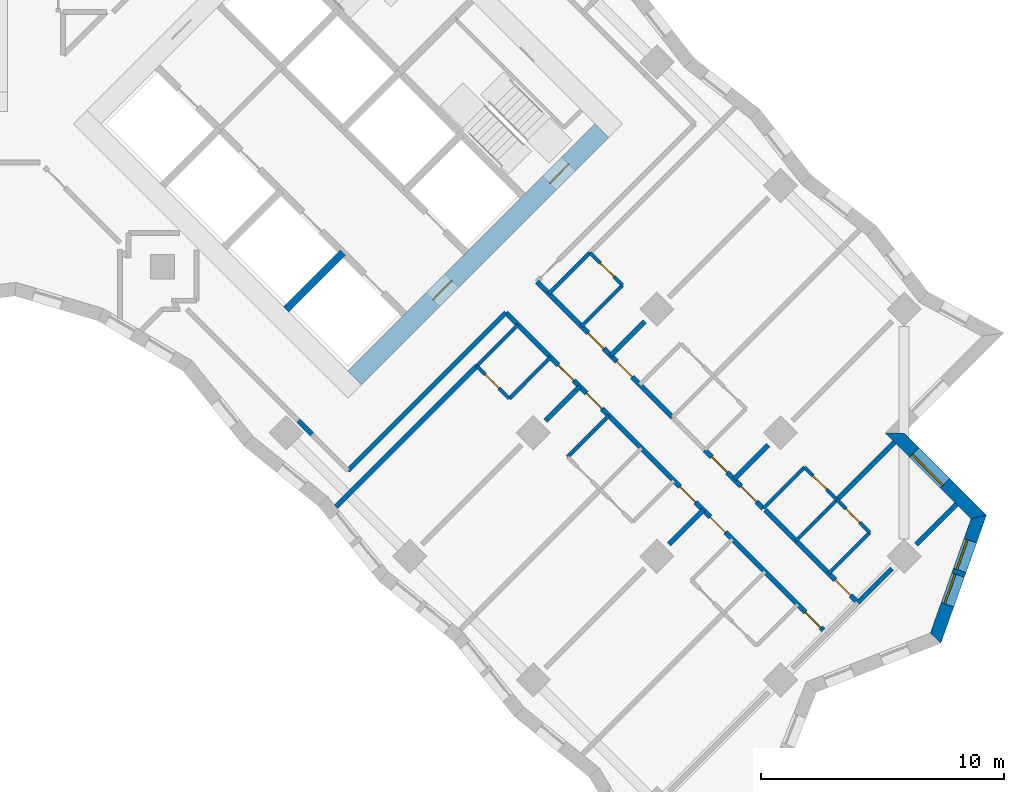
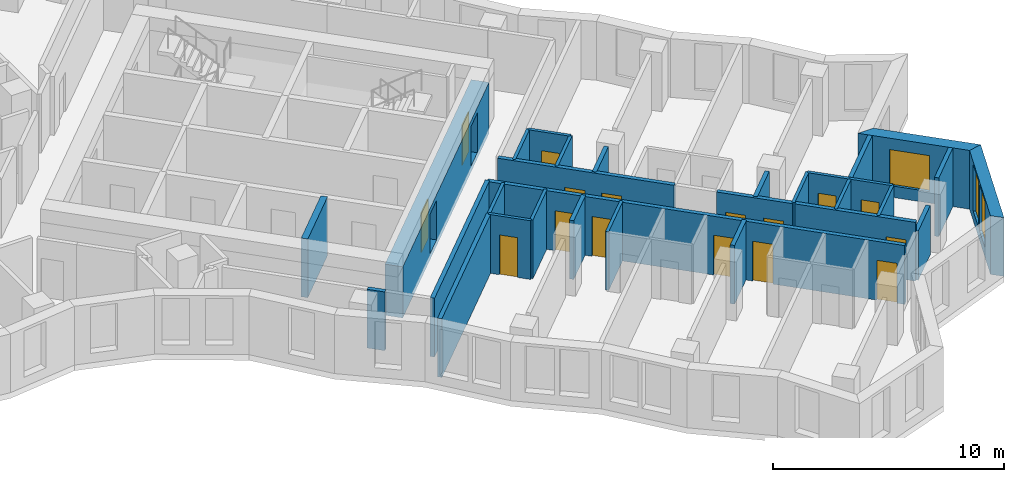
# One storey, part 9 of 13: 30 walls, 16 doors, 3 windows, 19 openings.
"""IFC4 building model written with IfcOpenShell, lengths in metres."""

from ifc_helpers import new_model, si_unit, direction, frame, frame_2d, origin, place, context, subcontext, project, spatial, polyline, rectangle, outline, extrude, material, layer, layer_set, type_object, element, fill, save


model = new_model("IFC4")

# Units and contexts
model_context = context("Model", 3, precision=1e-05, world=origin(), true_north=direction((0.0, 1.0)))
body_context = subcontext(model_context, "Body", "Model", "MODEL_VIEW")
ifc_project = project(units=[si_unit("LENGTHUNIT", "METRE"), si_unit("AREAUNIT", "SQUARE_METRE"), si_unit("VOLUMEUNIT", "CUBIC_METRE"), si_unit("PLANEANGLEUNIT", "RADIAN"), si_unit("MASSUNIT", "GRAM", prefix="KILO")], contexts=[model_context])

# Site, building, storey
site_placement = place(None, origin())
site = spatial("IfcSite", under=ifc_project, at=site_placement, CompositionType="ELEMENT")
building_placement = place(site_placement, origin())
building = spatial("IfcBuilding", under=site, at=building_placement, Name="Windrow Commons", CompositionType="ELEMENT")
storey_placement = place(building_placement, frame((0.0, 0.0, 94.8)))
storey = spatial("IfcBuildingStorey", under=building, at=storey_placement, Name="L25", CompositionType="ELEMENT", Elevation=94.8)

# Wall, openings, windows
ifc_material_1 = material(Name="Brick masonry, red clay brick", Category="masonry")
ifc_layer_1 = layer(ifc_material_1, 0.55)
ifc_layer_set_1 = layer_set([ifc_layer_1], Name="Brick facade wall 550")
wall_type_1 = type_object("IfcWallType", Name="Brick facade wall 550", PredefinedType="SOLIDWALL", material=ifc_layer_set_1)
wall_1_placement = place(storey_placement, frame((111.0465, 27.9061, 0.0), z_axis=(0.0, 0.0, 1.0), x_axis=(0.3355027217, 0.9420392368, 0.0)))
wall_1 = element("IfcWall", 1, at=wall_1_placement, inside=storey, type_object=wall_type_1, Name="Brick facade wall L25 4", PredefinedType="SOLIDWALL", context=body_context, shape_type="SweptSolid", body=[
    extrude(outline(polyline([(-0.1251, -0.275), (5.4709, -0.275), (5.1232, 0.275), (0.1251, 0.275), (-0.1251, -0.275)])), origin(), (0.0, 0.0, 1.0), 3.1),
])
opening_1_placement = place(wall_1_placement, frame((1.4596, 0.0, 0.5)))
opening_1 = element("IfcOpeningElement", 2, at=opening_1_placement, cuts=wall_1, Name="Opening W1P", PredefinedType="OPENING", context=body_context, shape_type="SweptSolid", body=[
    extrude(rectangle(XDim=1.3, YDim=2.45, at=frame_2d((0.65, 1.225))), frame((0.0, 0.285, 0.0), z_axis=(0.0, -1.0, 0.0), x_axis=(1.0, 0.0, 0.0)), (0.0, 0.0, 1.0), 0.57),
])
opening_2_placement = place(wall_1_placement, frame((2.9596, 0.0, 0.5)))
opening_2 = element("IfcOpeningElement", 3, at=opening_2_placement, cuts=wall_1, Name="Opening W1P", PredefinedType="OPENING", context=body_context, shape_type="SweptSolid", body=[
    extrude(rectangle(XDim=1.3, YDim=2.45, at=frame_2d((0.65, 1.225))), frame((0.0, 0.285, 0.0), z_axis=(0.0, -1.0, 0.0), x_axis=(1.0, 0.0, 0.0)), (0.0, 0.0, 1.0), 0.57),
])
ifc_material_2 = material(Name="Clear float glass in anodised aluminium frame", Category="aluminium")
window_type_1 = type_object("IfcWindowType", Name="Window W1P pair 1300x2450", PartitioningType="SINGLE_PANEL", PredefinedType="WINDOW", material=ifc_material_2)
window_1_placement = place(opening_1_placement, origin())
window_1 = element("IfcWindow", 4, at=window_1_placement, inside=storey, type_object=window_type_1, Name="Window L25 4.1A", OverallHeight=2.45, OverallWidth=1.3, PartitioningType="SINGLE_PANEL", PredefinedType="WINDOW", context=body_context, shape_type="SweptSolid", body=[
    extrude(rectangle(XDim=1.3, YDim=2.45, at=frame_2d((0.65, 1.225))), frame((0.0, 0.155, 0.0), z_axis=(0.0, -1.0, 0.0), x_axis=(1.0, 0.0, 0.0)), (0.0, 0.0, 1.0), 0.06),
])
fill(opening_1, window_1)
window_2_placement = place(opening_2_placement, origin())
window_2 = element("IfcWindow", 5, at=window_2_placement, inside=storey, type_object=window_type_1, Name="Window L25 4.1B", OverallHeight=2.45, OverallWidth=1.3, PartitioningType="SINGLE_PANEL", PredefinedType="WINDOW", context=body_context, shape_type="SweptSolid", body=[
    extrude(rectangle(XDim=1.3, YDim=2.45, at=frame_2d((0.65, 1.225))), frame((0.0, 0.155, 0.0), z_axis=(0.0, -1.0, 0.0), x_axis=(1.0, 0.0, 0.0)), (0.0, 0.0, 1.0), 0.06),
])
fill(opening_2, window_2)

# Wall, opening, window
wall_2_placement = place(storey_placement, frame((112.8237, 32.8962, 0.0), z_axis=(0.0, 0.0, 1.0), x_axis=(-0.7071067812, 0.7071067812, 0.0)))
wall_2 = element("IfcWall", 6, at=wall_2_placement, inside=storey, type_object=wall_type_1, Name="Brick facade wall L25 5", PredefinedType="SOLIDWALL", context=body_context, shape_type="SweptSolid", body=[
    extrude(outline(polyline([(-0.1739, -0.275), (4.6261, -0.275), (5.1761, 0.275), (0.1739, 0.275), (-0.1739, -0.275)])), origin(), (0.0, 0.0, 1.0), 3.1),
])
opening_3_placement = place(wall_2_placement, frame((1.9636, 0.0, 0.6)))
opening_3 = element("IfcOpeningElement", 7, at=opening_3_placement, cuts=wall_2, Name="Opening W1L", PredefinedType="OPENING", context=body_context, shape_type="SweptSolid", body=[
    extrude(rectangle(XDim=1.8, YDim=1.9, at=frame_2d((0.9, 0.95))), frame((0.0, 0.285, 0.0), z_axis=(0.0, -1.0, 0.0), x_axis=(1.0, 0.0, 0.0)), (0.0, 0.0, 1.0), 0.57),
])
ifc_material_3 = material(Name="Clear float glass in anodised aluminium frame", Category="aluminium")
window_type_2 = type_object("IfcWindowType", Name="Window W1L bedroom 1800x1900", PartitioningType="SINGLE_PANEL", PredefinedType="WINDOW", material=ifc_material_3)
window_3_placement = place(opening_3_placement, origin())
window_3 = element("IfcWindow", 8, at=window_3_placement, inside=storey, type_object=window_type_2, Name="Window L25 5.1", OverallHeight=1.9, OverallWidth=1.8, PartitioningType="SINGLE_PANEL", PredefinedType="WINDOW", context=body_context, shape_type="SweptSolid", body=[
    extrude(rectangle(XDim=1.8, YDim=1.9, at=frame_2d((0.9, 0.95))), frame((0.0, 0.155, 0.0), z_axis=(0.0, -1.0, 0.0), x_axis=(1.0, 0.0, 0.0)), (0.0, 0.0, 1.0), 0.06),
])
fill(opening_3, window_3)

# Wall, openings, doors
ifc_material_4 = material(Name="Blockwork partition", Category="masonry")
ifc_layer_2 = layer(ifc_material_4, 0.2)
ifc_layer_set_2 = layer_set([ifc_layer_2], Name="IW-CORRIDOR-200")
wall_type_2 = type_object("IfcWallType", Name="IW-CORRIDOR-200", PredefinedType="PARTITIONING", material=ifc_layer_set_2)
wall_3_placement = place(storey_placement, frame((93.3386, 41.3086, 0.0), z_axis=(0.0, 0.0, 1.0), x_axis=(0.7071067812, -0.7071067812, 0.0)))
wall_3 = element("IfcWall", 9, at=wall_3_placement, inside=storey, type_object=wall_type_2, Name="W-L25-W003", PredefinedType="PARTITIONING", context=body_context, shape_type="SweptSolid", body=[
    extrude(rectangle(XDim=18.7016, YDim=0.2, at=frame_2d((9.3508, 0.0))), origin(), (0.0, 0.0, 1.0), 3.1),
])
opening_4_placement = place(wall_3_placement, frame((3.0504, 0.0, 0.0)))
opening_4 = element("IfcOpeningElement", 10, at=opening_4_placement, cuts=wall_3, Name="Opening D109S", PredefinedType="OPENING", context=body_context, shape_type="SweptSolid", body=[
    extrude(rectangle(XDim=0.9, YDim=2.1, at=frame_2d((0.45, 1.05))), frame((0.0, 0.11, 0.0), z_axis=(0.0, -1.0, 0.0), x_axis=(1.0, 0.0, 0.0)), (0.0, 0.0, 1.0), 0.22),
])
opening_5_placement = place(wall_3_placement, frame((4.7004, 0.0, 0.0)))
opening_5 = element("IfcOpeningElement", 11, at=opening_5_placement, cuts=wall_3, Name="Opening D109S", PredefinedType="OPENING", context=body_context, shape_type="SweptSolid", body=[
    extrude(rectangle(XDim=0.9, YDim=2.1, at=frame_2d((0.45, 1.05))), frame((0.0, 0.11, 0.0), z_axis=(0.0, -1.0, 0.0), x_axis=(1.0, 0.0, 0.0)), (0.0, 0.0, 1.0), 0.22),
])
opening_6_placement = place(wall_3_placement, frame((10.1488, 0.0, 0.0)))
opening_6 = element("IfcOpeningElement", 12, at=opening_6_placement, cuts=wall_3, Name="Opening D109S", PredefinedType="OPENING", context=body_context, shape_type="SweptSolid", body=[
    extrude(rectangle(XDim=0.9, YDim=2.1, at=frame_2d((0.45, 1.05))), frame((0.0, 0.11, 0.0), z_axis=(0.0, -1.0, 0.0), x_axis=(1.0, 0.0, 0.0)), (0.0, 0.0, 1.0), 0.22),
])
opening_7_placement = place(wall_3_placement, frame((11.9004, 0.0, 0.0)))
opening_7 = element("IfcOpeningElement", 13, at=opening_7_placement, cuts=wall_3, Name="Opening D109S", PredefinedType="OPENING", context=body_context, shape_type="SweptSolid", body=[
    extrude(rectangle(XDim=0.9, YDim=2.1, at=frame_2d((0.45, 1.05))), frame((0.0, 0.11, 0.0), z_axis=(0.0, -1.0, 0.0), x_axis=(1.0, 0.0, 0.0)), (0.0, 0.0, 1.0), 0.22),
])
opening_8_placement = place(wall_3_placement, frame((17.4504, 0.0, 0.0)))
opening_8 = element("IfcOpeningElement", 14, at=opening_8_placement, cuts=wall_3, Name="Opening D109S", PredefinedType="OPENING", context=body_context, shape_type="SweptSolid", body=[
    extrude(rectangle(XDim=0.9, YDim=2.1, at=frame_2d((0.45, 1.05))), frame((0.0, 0.11, 0.0), z_axis=(0.0, -1.0, 0.0), x_axis=(1.0, 0.0, 0.0)), (0.0, 0.0, 1.0), 0.22),
])
ifc_material_5 = material(Name="Timber door leaf", Category="wood")
door_type_1 = type_object("IfcDoorType", Name="DT-BEDROOM-900", OperationType="SINGLE_SWING_LEFT", PredefinedType="DOOR", material=ifc_material_5)
door_1_placement = place(opening_4_placement, origin())
door_1 = element("IfcDoor", 15, at=door_1_placement, inside=storey, type_object=door_type_1, Name="D-L25-D057", OperationType="SINGLE_SWING_LEFT", OverallHeight=2.1, OverallWidth=0.9, PredefinedType="DOOR", context=body_context, shape_type="SweptSolid", body=[
    extrude(rectangle(XDim=0.9, YDim=2.1, at=frame_2d((0.45, 1.05))), frame((0.0, 0.025, 0.0), z_axis=(0.0, -1.0, 0.0), x_axis=(1.0, 0.0, 0.0)), (0.0, 0.0, 1.0), 0.05),
])
fill(opening_4, door_1)
door_2_placement = place(opening_5_placement, origin())
door_2 = element("IfcDoor", 16, at=door_2_placement, inside=storey, type_object=door_type_1, Name="D-L25-D059", OperationType="SINGLE_SWING_RIGHT", OverallHeight=2.1, OverallWidth=0.9, PredefinedType="DOOR", context=body_context, shape_type="SweptSolid", body=[
    extrude(rectangle(XDim=0.9, YDim=2.1, at=frame_2d((0.45, 1.05))), frame((0.0, 0.025, 0.0), z_axis=(0.0, -1.0, 0.0), x_axis=(1.0, 0.0, 0.0)), (0.0, 0.0, 1.0), 0.05),
])
fill(opening_5, door_2)
door_3_placement = place(opening_6_placement, origin())
door_3 = element("IfcDoor", 17, at=door_3_placement, inside=storey, type_object=door_type_1, Name="D-L25-D061", OperationType="SINGLE_SWING_LEFT", OverallHeight=2.1, OverallWidth=0.9, PredefinedType="DOOR", context=body_context, shape_type="SweptSolid", body=[
    extrude(rectangle(XDim=0.9, YDim=2.1, at=frame_2d((0.45, 1.05))), frame((0.0, 0.025, 0.0), z_axis=(0.0, -1.0, 0.0), x_axis=(1.0, 0.0, 0.0)), (0.0, 0.0, 1.0), 0.05),
])
fill(opening_6, door_3)
door_4_placement = place(opening_7_placement, origin())
door_4 = element("IfcDoor", 18, at=door_4_placement, inside=storey, type_object=door_type_1, Name="D-L25-D063", OperationType="SINGLE_SWING_RIGHT", OverallHeight=2.1, OverallWidth=0.9, PredefinedType="DOOR", context=body_context, shape_type="SweptSolid", body=[
    extrude(rectangle(XDim=0.9, YDim=2.1, at=frame_2d((0.45, 1.05))), frame((0.0, 0.025, 0.0), z_axis=(0.0, -1.0, 0.0), x_axis=(1.0, 0.0, 0.0)), (0.0, 0.0, 1.0), 0.05),
])
fill(opening_7, door_4)
door_5_placement = place(opening_8_placement, origin())
door_5 = element("IfcDoor", 19, at=door_5_placement, inside=storey, type_object=door_type_1, Name="D-L25-D065", OperationType="SINGLE_SWING_LEFT", OverallHeight=2.1, OverallWidth=0.9, PredefinedType="DOOR", context=body_context, shape_type="SweptSolid", body=[
    extrude(rectangle(XDim=0.9, YDim=2.1, at=frame_2d((0.45, 1.05))), frame((0.0, 0.025, 0.0), z_axis=(0.0, -1.0, 0.0), x_axis=(1.0, 0.0, 0.0)), (0.0, 0.0, 1.0), 0.05),
])
fill(opening_8, door_5)

# Wall
wall_4_placement = place(storey_placement, frame((86.8355, 34.8065, 0.0), z_axis=(0.0, 0.0, 1.0), x_axis=(0.7071067812, 0.7071067812, 0.0)))
element("IfcWall", 20, at=wall_4_placement, inside=storey, type_object=wall_type_2, Name="W-L25-W007", PredefinedType="PARTITIONING", context=body_context, shape_type="SweptSolid", body=[
    extrude(rectangle(XDim=9.2009, YDim=0.2, at=frame_2d((4.6005, 0.0))), origin(), (0.0, 0.0, 1.0), 3.1),
])

# Wall, openings, doors
wall_5_placement = place(storey_placement, frame((94.6195, 42.5875, 0.0), z_axis=(0.0, 0.0, 1.0), x_axis=(0.7071067812, -0.7071067812, 0.0)))
wall_5 = element("IfcWall", 21, at=wall_5_placement, inside=storey, type_object=wall_type_2, Name="W-L25-W018", PredefinedType="PARTITIONING", context=body_context, shape_type="SweptSolid", body=[
    extrude(rectangle(XDim=7.8998, YDim=0.2, at=frame_2d((3.9499, 0.0))), origin(), (0.0, 0.0, 1.0), 3.1),
])
opening_9_placement = place(wall_5_placement, frame((2.9976, 0.0, 0.0)))
opening_9 = element("IfcOpeningElement", 22, at=opening_9_placement, cuts=wall_5, Name="Opening D109S", PredefinedType="OPENING", context=body_context, shape_type="SweptSolid", body=[
    extrude(rectangle(XDim=0.9, YDim=2.1, at=frame_2d((0.45, 1.05))), frame((0.0, 0.11, 0.0), z_axis=(0.0, -1.0, 0.0), x_axis=(1.0, 0.0, 0.0)), (0.0, 0.0, 1.0), 0.22),
])
opening_10_placement = place(wall_5_placement, frame((4.649, 0.0, 0.0)))
opening_10 = element("IfcOpeningElement", 23, at=opening_10_placement, cuts=wall_5, Name="Opening D109S", PredefinedType="OPENING", context=body_context, shape_type="SweptSolid", body=[
    extrude(rectangle(XDim=0.9, YDim=2.1, at=frame_2d((0.45, 1.05))), frame((0.0, 0.11, 0.0), z_axis=(0.0, -1.0, 0.0), x_axis=(1.0, 0.0, 0.0)), (0.0, 0.0, 1.0), 0.22),
])
door_6_placement = place(opening_9_placement, origin())
door_6 = element("IfcDoor", 24, at=door_6_placement, inside=storey, type_object=door_type_1, Name="D-L25-D048", OperationType="SINGLE_SWING_RIGHT", OverallHeight=2.1, OverallWidth=0.9, PredefinedType="DOOR", context=body_context, shape_type="SweptSolid", body=[
    extrude(rectangle(XDim=0.9, YDim=2.1, at=frame_2d((0.45, 1.05))), frame((0.0, 0.025, 0.0), z_axis=(0.0, -1.0, 0.0), x_axis=(1.0, 0.0, 0.0)), (0.0, 0.0, 1.0), 0.05),
])
fill(opening_9, door_6)
door_7_placement = place(opening_10_placement, origin())
door_7 = element("IfcDoor", 25, at=door_7_placement, inside=storey, type_object=door_type_1, Name="D-L25-D050", OperationType="SINGLE_SWING_LEFT", OverallHeight=2.1, OverallWidth=0.9, PredefinedType="DOOR", context=body_context, shape_type="SweptSolid", body=[
    extrude(rectangle(XDim=0.9, YDim=2.1, at=frame_2d((0.45, 1.05))), frame((0.0, 0.025, 0.0), z_axis=(0.0, -1.0, 0.0), x_axis=(1.0, 0.0, 0.0)), (0.0, 0.0, 1.0), 0.05),
])
fill(opening_10, door_7)

# Wall, opening, door
wall_6_placement = place(storey_placement, frame((104.0235, 33.1835, 0.0), z_axis=(0.0, 0.0, 1.0), x_axis=(0.7071067812, -0.7071067812, 0.0)))
wall_6 = element("IfcWall", 26, at=wall_6_placement, inside=storey, type_object=wall_type_2, Name="W-L25-W041", PredefinedType="PARTITIONING", context=body_context, shape_type="SweptSolid", body=[
    extrude(rectangle(XDim=5.3995, YDim=0.2, at=frame_2d((2.6997, 0.0))), origin(), (0.0, 0.0, 1.0), 3.1),
])
opening_11_placement = place(wall_6_placement, frame((4.0797, 0.0, 0.0)))
opening_11 = element("IfcOpeningElement", 27, at=opening_11_placement, cuts=wall_6, Name="Opening D109S", PredefinedType="OPENING", context=body_context, shape_type="SweptSolid", body=[
    extrude(rectangle(XDim=0.9, YDim=2.1, at=frame_2d((0.45, 1.05))), frame((0.0, 0.11, 0.0), z_axis=(0.0, -1.0, 0.0), x_axis=(1.0, 0.0, 0.0)), (0.0, 0.0, 1.0), 0.22),
])
door_8_placement = place(opening_11_placement, origin())
door_8 = element("IfcDoor", 28, at=door_8_placement, inside=storey, type_object=door_type_1, Name="D-L25-D067", OperationType="SINGLE_SWING_RIGHT", OverallHeight=2.1, OverallWidth=0.9, PredefinedType="DOOR", context=body_context, shape_type="SweptSolid", body=[
    extrude(rectangle(XDim=0.9, YDim=2.1, at=frame_2d((0.45, 1.05))), frame((0.0, 0.025, 0.0), z_axis=(0.0, -1.0, 0.0), x_axis=(1.0, 0.0, 0.0)), (0.0, 0.0, 1.0), 0.05),
])
fill(opening_11, door_8)

# Wall, openings, doors
wall_7_placement = place(storey_placement, frame((101.5414, 35.6514, 0.0), z_axis=(0.0, 0.0, 1.0), x_axis=(0.7071067812, -0.7071067812, 0.0)))
wall_7 = element("IfcWall", 29, at=wall_7_placement, inside=storey, type_object=wall_type_2, Name="W-L25-W059", PredefinedType="PARTITIONING", context=body_context, shape_type="SweptSolid", body=[
    extrude(rectangle(XDim=3.3998, YDim=0.2, at=frame_2d((1.6999, 0.0))), origin(), (0.0, 0.0, 1.0), 3.1),
])
opening_12_placement = place(wall_7_placement, frame((0.3999, 0.0, 0.0)))
opening_12 = element("IfcOpeningElement", 30, at=opening_12_placement, cuts=wall_7, Name="Opening D109S", PredefinedType="OPENING", context=body_context, shape_type="SweptSolid", body=[
    extrude(rectangle(XDim=0.9, YDim=2.1, at=frame_2d((0.45, 1.05))), frame((0.0, 0.11, 0.0), z_axis=(0.0, -1.0, 0.0), x_axis=(1.0, 0.0, 0.0)), (0.0, 0.0, 1.0), 0.22),
])
opening_13_placement = place(wall_7_placement, frame((2.1049, 0.0, 0.0)))
opening_13 = element("IfcOpeningElement", 31, at=opening_13_placement, cuts=wall_7, Name="Opening D109S", PredefinedType="OPENING", context=body_context, shape_type="SweptSolid", body=[
    extrude(rectangle(XDim=0.9, YDim=2.1, at=frame_2d((0.45, 1.05))), frame((0.0, 0.11, 0.0), z_axis=(0.0, -1.0, 0.0), x_axis=(1.0, 0.0, 0.0)), (0.0, 0.0, 1.0), 0.22),
])
door_9_placement = place(opening_12_placement, origin())
door_9 = element("IfcDoor", 32, at=door_9_placement, inside=storey, type_object=door_type_1, Name="D-L25-D052", OperationType="SINGLE_SWING_RIGHT", OverallHeight=2.1, OverallWidth=0.9, PredefinedType="DOOR", context=body_context, shape_type="SweptSolid", body=[
    extrude(rectangle(XDim=0.9, YDim=2.1, at=frame_2d((0.45, 1.05))), frame((0.0, 0.025, 0.0), z_axis=(0.0, -1.0, 0.0), x_axis=(1.0, 0.0, 0.0)), (0.0, 0.0, 1.0), 0.05),
])
fill(opening_12, door_9)
door_10_placement = place(opening_13_placement, origin())
door_10 = element("IfcDoor", 33, at=door_10_placement, inside=storey, type_object=door_type_1, Name="D-L25-D054", OperationType="SINGLE_SWING_LEFT", OverallHeight=2.1, OverallWidth=0.9, PredefinedType="DOOR", context=body_context, shape_type="SweptSolid", body=[
    extrude(rectangle(XDim=0.9, YDim=2.1, at=frame_2d((0.45, 1.05))), frame((0.0, 0.025, 0.0), z_axis=(0.0, -1.0, 0.0), x_axis=(1.0, 0.0, 0.0)), (0.0, 0.0, 1.0), 0.05),
])
fill(opening_13, door_10)

# Walls
wall_8_placement = place(storey_placement, frame((84.7953, 36.8553, 0.0), z_axis=(0.0, 0.0, 1.0), x_axis=(0.7071067812, -0.7071067812, 0.0)))
element("IfcWall", 34, at=wall_8_placement, inside=storey, type_object=wall_type_2, Name="W-L25-W185", PredefinedType="PARTITIONING", context=body_context, shape_type="SweptSolid", body=[
    extrude(rectangle(XDim=0.792, YDim=0.2, at=frame_2d((0.396, 0.0))), origin(), (0.0, 0.0, 1.0), 3.1),
])
ifc_material_6 = material(Name="Blockwork partition", Category="masonry")
ifc_layer_3 = layer(ifc_material_6, 0.15)
ifc_layer_set_3 = layer_set([ifc_layer_3], Name="IW-ENSUITE-150")
wall_type_3 = type_object("IfcWallType", Name="IW-ENSUITE-150", PredefinedType="PARTITIONING", material=ifc_layer_set_3)
for number, where, z_axis, x_axis, name in (
    (35, (92.1428, 39.1172, 0.0), (0.0, 0.0, 1.0), (0.7075233388, 0.706689978, 0.0), "W-L25-W099"),
    (36, (93.4867, 37.7733, 0.0), (0.0, 0.0, 1.0), (0.706689978, 0.7075233388, 0.0), "W-L25-W100"),
    (37, (105.2898, 31.9102, 0.0), (0.0, 0.0, 1.0), (0.7075233388, 0.706689978, 0.0), "W-L25-W103"),
):
    element("IfcWall", number, at=place(storey_placement, frame(where, z_axis=z_axis, x_axis=x_axis)), inside=storey, type_object=wall_type_3, Name=name, PredefinedType="PARTITIONING", context=body_context, shape_type="SweptSolid", body=[
        extrude(rectangle(XDim=2.3999, YDim=0.15, at=frame_2d((1.2, 0.0))), origin(), (0.0, 0.0, 1.0), 3.1),
    ])
for number, where, z_axis, x_axis, name in (
    (38, (96.4529, 40.7471, 0.0), (0.0, 0.0, 1.0), (0.7071067812, 0.7071067812, 0.0), "W-L25-W104"),
    (39, (95.1094, 42.0906, 0.0), (0.0, 0.0, 1.0), (0.7071067812, 0.7071067812, 0.0), "W-L25-W105"),
    (40, (95.8871, 35.3729, 0.0), (0.0, 0.0, 1.0), (0.7071067812, 0.7071067812, 0.0), "W-L25-W106"),
    (41, (106.6353, 30.5647, 0.0), (0.0, 0.0, 1.0), (0.7071067812, 0.7071067812, 0.0), "W-L25-W111"),
    (42, (103.9493, 33.2527, 0.0), (0.0, 0.0, 1.0), (0.7071067812, 0.7071067812, 0.0), "W-L25-W112"),
):
    element("IfcWall", number, at=place(storey_placement, frame(where, z_axis=z_axis, x_axis=x_axis)), inside=storey, type_object=wall_type_3, Name=name, PredefinedType="PARTITIONING", context=body_context, shape_type="SweptSolid", body=[
        extrude(rectangle(XDim=2.3985, YDim=0.15, at=frame_2d((1.1992, 0.0))), origin(), (0.0, 0.0, 1.0), 3.1),
    ])

# Wall, opening, door
wall_9_placement = place(storey_placement, frame((96.8035, 43.7835, 0.0), z_axis=(0.0, 0.0, 1.0), x_axis=(0.7071067812, -0.7071067812, 0.0)))
wall_9 = element("IfcWall", 43, at=wall_9_placement, inside=storey, type_object=wall_type_3, Name="W-L25-W131", PredefinedType="PARTITIONING", context=body_context, shape_type="SweptSolid", body=[
    extrude(rectangle(XDim=1.9007, YDim=0.15, at=frame_2d((0.9504, 0.0))), origin(), (0.0, 0.0, 1.0), 3.1),
])
opening_14_placement = place(wall_9_placement, frame((0.6091, 0.0, 0.0)))
opening_14 = element("IfcOpeningElement", 44, at=opening_14_placement, cuts=wall_9, Name="Opening D208N", PredefinedType="OPENING", context=body_context, shape_type="SweptSolid", body=[
    extrude(rectangle(XDim=0.8, YDim=2.1, at=frame_2d((0.4, 1.05))), frame((0.0, 0.085, 0.0), z_axis=(0.0, -1.0, 0.0), x_axis=(1.0, 0.0, 0.0)), (0.0, 0.0, 1.0), 0.17),
])
ifc_material_7 = material(Name="Timber door leaf", Category="wood")
door_type_2 = type_object("IfcDoorType", Name="DT-ENSUITE-800", OperationType="SINGLE_SWING_LEFT", PredefinedType="DOOR", material=ifc_material_7)
door_11_placement = place(opening_14_placement, origin())
door_11 = element("IfcDoor", 45, at=door_11_placement, inside=storey, type_object=door_type_2, Name="D-L25-D049", OperationType="SINGLE_SWING_RIGHT", OverallHeight=2.1, OverallWidth=0.8, PredefinedType="DOOR", context=body_context, shape_type="SweptSolid", body=[
    extrude(rectangle(XDim=0.8, YDim=2.1, at=frame_2d((0.4, 1.05))), frame((0.0, 0.025, 0.0), z_axis=(0.0, -1.0, 0.0), x_axis=(1.0, 0.0, 0.0)), (0.0, 0.0, 1.0), 0.05),
])
fill(opening_14, door_11)

wall_10_placement = place(storey_placement, frame((105.6425, 34.9445, 0.0), z_axis=(0.0, 0.0, 1.0), x_axis=(0.7071067812, -0.7071067812, 0.0)))
wall_10 = element("IfcWall", 46, at=wall_10_placement, inside=storey, type_object=wall_type_3, Name="W-L25-W133", PredefinedType="PARTITIONING", context=body_context, shape_type="SweptSolid", body=[
    extrude(rectangle(XDim=1.9007, YDim=0.15, at=frame_2d((0.9504, 0.0))), origin(), (0.0, 0.0, 1.0), 3.1),
])
opening_15_placement = place(wall_10_placement, frame((0.4914, 0.0, 0.0)))
opening_15 = element("IfcOpeningElement", 47, at=opening_15_placement, cuts=wall_10, Name="Opening D208N", PredefinedType="OPENING", context=body_context, shape_type="SweptSolid", body=[
    extrude(rectangle(XDim=0.8, YDim=2.1, at=frame_2d((0.4, 1.05))), frame((0.0, 0.085, 0.0), z_axis=(0.0, -1.0, 0.0), x_axis=(1.0, 0.0, 0.0)), (0.0, 0.0, 1.0), 0.17),
])
door_12_placement = place(opening_15_placement, origin())
door_12 = element("IfcDoor", 48, at=door_12_placement, inside=storey, type_object=door_type_2, Name="D-L25-D055", OperationType="SINGLE_SWING_RIGHT", OverallHeight=2.1, OverallWidth=0.8, PredefinedType="DOOR", context=body_context, shape_type="SweptSolid", body=[
    extrude(rectangle(XDim=0.8, YDim=2.1, at=frame_2d((0.4, 1.05))), frame((0.0, 0.025, 0.0), z_axis=(0.0, -1.0, 0.0), x_axis=(1.0, 0.0, 0.0)), (0.0, 0.0, 1.0), 0.05),
])
fill(opening_15, door_12)

wall_11_placement = place(storey_placement, frame((92.1366, 39.1166, 0.0), z_axis=(0.0, 0.0, 1.0), x_axis=(0.7071067812, -0.7071067812, 0.0)))
wall_11 = element("IfcWall", 49, at=wall_11_placement, inside=storey, type_object=wall_type_3, Name="W-L25-W135", PredefinedType="PARTITIONING", context=body_context, shape_type="SweptSolid", body=[
    extrude(rectangle(XDim=1.9007, YDim=0.15, at=frame_2d((0.9504, 0.0))), origin(), (0.0, 0.0, 1.0), 3.1),
])
opening_16_placement = place(wall_11_placement, frame((0.5024, 0.0, 0.0)))
opening_16 = element("IfcOpeningElement", 50, at=opening_16_placement, cuts=wall_11, Name="Opening D208N", PredefinedType="OPENING", context=body_context, shape_type="SweptSolid", body=[
    extrude(rectangle(XDim=0.8, YDim=2.1, at=frame_2d((0.4, 1.05))), frame((0.0, 0.085, 0.0), z_axis=(0.0, -1.0, 0.0), x_axis=(1.0, 0.0, 0.0)), (0.0, 0.0, 1.0), 0.17),
])
door_13_placement = place(opening_16_placement, origin())
door_13 = element("IfcDoor", 51, at=door_13_placement, inside=storey, type_object=door_type_2, Name="D-L25-D058", OperationType="SINGLE_SWING_RIGHT", OverallHeight=2.1, OverallWidth=0.8, PredefinedType="DOOR", context=body_context, shape_type="SweptSolid", body=[
    extrude(rectangle(XDim=0.8, YDim=2.1, at=frame_2d((0.4, 1.05))), frame((0.0, 0.025, 0.0), z_axis=(0.0, -1.0, 0.0), x_axis=(1.0, 0.0, 0.0)), (0.0, 0.0, 1.0), 0.05),
])
fill(opening_16, door_13)

wall_12_placement = place(storey_placement, frame((106.9875, 33.6015, 0.0), z_axis=(0.0, 0.0, 1.0), x_axis=(0.7065800724, -0.7076330979, 0.0)))
wall_12 = element("IfcWall", 52, at=wall_12_placement, inside=storey, type_object=wall_type_3, Name="W-L25-W149", PredefinedType="PARTITIONING", context=body_context, shape_type="SweptSolid", body=[
    extrude(rectangle(XDim=1.8993, YDim=0.15, at=frame_2d((0.9496, 0.0))), origin(), (0.0, 0.0, 1.0), 3.1),
])
opening_17_placement = place(wall_12_placement, frame((0.5187, 0.0, 0.0)))
opening_17 = element("IfcOpeningElement", 53, at=opening_17_placement, cuts=wall_12, Name="Opening D208N", PredefinedType="OPENING", context=body_context, shape_type="SweptSolid", body=[
    extrude(rectangle(XDim=0.8, YDim=2.1, at=frame_2d((0.4, 1.05))), frame((0.0, 0.085, 0.0), z_axis=(0.0, -1.0, 0.0), x_axis=(1.0, 0.0, 0.0)), (0.0, 0.0, 1.0), 0.17),
])
door_14_placement = place(opening_17_placement, origin())
door_14 = element("IfcDoor", 54, at=door_14_placement, inside=storey, type_object=door_type_2, Name="D-L25-D068", OperationType="SINGLE_SWING_RIGHT", OverallHeight=2.1, OverallWidth=0.8, PredefinedType="DOOR", context=body_context, shape_type="SweptSolid", body=[
    extrude(rectangle(XDim=0.8, YDim=2.1, at=frame_2d((0.4, 1.05))), frame((0.0, 0.025, 0.0), z_axis=(0.0, -1.0, 0.0), x_axis=(1.0, 0.0, 0.0)), (0.0, 0.0, 1.0), 0.05),
])
fill(opening_17, door_14)

# Walls
ifc_material_8 = material(Name="Blockwork partition", Category="masonry")
ifc_layer_4 = layer(ifc_material_8, 0.2)
ifc_layer_set_4 = layer_set([ifc_layer_4], Name="IW-PARTY-200")
wall_type_4 = type_object("IfcWallType", Name="IW-PARTY-200", PredefinedType="PARTITIONING", material=ifc_layer_set_4)
wall_13_placement = place(storey_placement, frame((86.3427, 33.3165, 0.0), z_axis=(0.0, 0.0, 1.0), x_axis=(0.7069848641, 0.7072286772, 0.0)))
element("IfcWall", 55, at=wall_13_placement, inside=storey, type_object=wall_type_4, Name="W-L25-W015", PredefinedType="PARTITIONING", context=body_context, shape_type="SweptSolid", body=[
    extrude(rectangle(XDim=8.203, YDim=0.2, at=frame_2d((4.1015, 0.0))), origin(), (0.0, 0.0, 1.0), 3.1),
])
wall_14_placement = place(storey_placement, frame((106.9888, 33.6052, 0.0), z_axis=(0.0, 0.0, 1.0), x_axis=(0.7071067812, 0.7071067812, 0.0)))
element("IfcWall", 56, at=wall_14_placement, inside=storey, type_object=wall_type_4, Name="W-L25-W060", PredefinedType="PARTITIONING", context=body_context, shape_type="SweptSolid", body=[
    extrude(rectangle(XDim=3.3496, YDim=0.2, at=frame_2d((1.6748, 0.0))), origin(), (0.0, 0.0, 1.0), 3.1),
])
wall_15_placement = place(storey_placement, frame((110.2515, 31.7666, 0.0), z_axis=(0.0, 0.0, 1.0), x_axis=(0.7066584143, 0.7075548639, 0.0)))
element("IfcWall", 57, at=wall_15_placement, inside=storey, type_object=wall_type_4, Name="W-L25-W115", PredefinedType="PARTITIONING", context=body_context, shape_type="SweptSolid", body=[
    extrude(rectangle(XDim=2.3426, YDim=0.2, at=frame_2d((1.1713, 0.0))), origin(), (0.0, 0.0, 1.0), 3.1),
])
wall_16_placement = place(storey_placement, frame((100.0632, 31.7708, 0.0), z_axis=(0.0, 0.0, 1.0), x_axis=(0.7071067812, 0.7071067812, 0.0)))
element("IfcWall", 58, at=wall_16_placement, inside=storey, type_object=wall_type_4, Name="W-L25-W124", PredefinedType="PARTITIONING", context=body_context, shape_type="SweptSolid", body=[
    extrude(rectangle(XDim=1.994, YDim=0.2, at=frame_2d((0.997, 0.0))), origin(), (0.0, 0.0, 1.0), 3.1),
])
wall_17_placement = place(storey_placement, frame((107.8374, 29.3626, 0.0), z_axis=(0.0, 0.0, 1.0), x_axis=(0.7071067812, 0.7071067812, 0.0)))
element("IfcWall", 59, at=wall_17_placement, inside=storey, type_object=wall_type_4, Name="W-L25-W125", PredefinedType="PARTITIONING", context=body_context, shape_type="SweptSolid", body=[
    extrude(rectangle(XDim=1.994, YDim=0.2, at=frame_2d((0.997, 0.0))), origin(), (0.0, 0.0, 1.0), 2.6),
])
for number, where, z_axis, x_axis, name in (
    (60, (97.655, 39.545, 0.0), (0.0, 0.0, 1.0), (0.7071067812, 0.7071067812, 0.0), "W-L25-W126"),
    (61, (94.972, 36.862, 0.0), (0.0, 0.0, 1.0), (0.7071067812, 0.7071067812, 0.0), "W-L25-W128"),
):
    element("IfcWall", number, at=place(storey_placement, frame(where, z_axis=z_axis, x_axis=x_axis)), inside=storey, type_object=wall_type_4, Name=name, PredefinedType="PARTITIONING", context=body_context, shape_type="SweptSolid", body=[
        extrude(rectangle(XDim=1.994, YDim=0.2, at=frame_2d((0.997, 0.0))), origin(), (0.0, 0.0, 1.0), 3.1),
    ])
wall_18_placement = place(storey_placement, frame((102.7472, 34.4548, 0.0), z_axis=(0.0, 0.0, 1.0), x_axis=(0.7071067812, 0.7071067812, 0.0)))
element("IfcWall", 62, at=wall_18_placement, inside=storey, type_object=wall_type_4, Name="W-L25-W129", PredefinedType="PARTITIONING", context=body_context, shape_type="SweptSolid", body=[
    extrude(rectangle(XDim=1.9912, YDim=0.2, at=frame_2d((0.9956, 0.0))), origin(), (0.0, 0.0, 1.0), 3.1),
])

# Wall, openings, doors
ifc_material_9 = material(Name="Concrete C50/60", Category="concrete")
ifc_layer_5 = layer(ifc_material_9, 0.8)
ifc_layer_set_5 = layer_set([ifc_layer_5], Name="RC CORE WALL 800 C50/60")
wall_type_5 = type_object("IfcWallType", Name="RC CORE WALL 800 C50/60", PredefinedType="SHEAR", material=ifc_layer_set_5)
wall_19_placement = place(storey_placement, frame((87.1196, 38.6246, -0.3), z_axis=(0.0, 0.0, 1.0), x_axis=(0.7071067812, 0.7071067812, 0.0)))
wall_19 = element("IfcWall", 63, at=wall_19_placement, inside=storey, type_object=wall_type_5, Name="Core B wall outer-E", PredefinedType="SHEAR", context=body_context, shape_type="SweptSolid", body=[
    extrude(rectangle(XDim=14.3999, YDim=0.8, at=frame_2d((7.2, 0.0))), origin(), (0.0, 0.0, 1.0), 2.7),
])
opening_18_placement = place(wall_19_placement, frame((4.55, 0.0, 0.3)))
opening_18 = element("IfcOpeningElement", 64, at=opening_18_placement, cuts=wall_19, Name="Opening D6", PredefinedType="OPENING", context=body_context, shape_type="SweptSolid", body=[
    extrude(rectangle(XDim=1.1, YDim=2.1, at=frame_2d((0.55, 1.05))), frame((0.0, 0.41, 0.0), z_axis=(0.0, -1.0, 0.0), x_axis=(1.0, 0.0, 0.0)), (0.0, 0.0, 1.0), 0.82),
])
opening_19_placement = place(wall_19_placement, frame((11.35, 0.0, 0.3)))
opening_19 = element("IfcOpeningElement", 65, at=opening_19_placement, cuts=wall_19, Name="Opening D7", PredefinedType="OPENING", context=body_context, shape_type="SweptSolid", body=[
    extrude(rectangle(XDim=1.1, YDim=2.1, at=frame_2d((0.55, 1.05))), frame((0.0, 0.41, 0.0), z_axis=(0.0, -1.0, 0.0), x_axis=(1.0, 0.0, 0.0)), (0.0, 0.0, 1.0), 0.82),
])
ifc_material_10 = material(Name="Steel fire door leaf", Category="steel")
door_type_3 = type_object("IfcDoorType", Name="Core lobby door 1100", OperationType="SINGLE_SWING_LEFT", PredefinedType="DOOR", material=ifc_material_10)
door_15_placement = place(opening_18_placement, origin())
door_15 = element("IfcDoor", 66, at=door_15_placement, inside=storey, type_object=door_type_3, Name="Lift lobby door", OperationType="DOUBLE_DOOR_SINGLE_SWING", OverallHeight=2.1, OverallWidth=1.1, PredefinedType="DOOR", context=body_context, shape_type="SweptSolid", body=[
    extrude(rectangle(XDim=1.1, YDim=2.1, at=frame_2d((0.55, 1.05))), frame((0.0, 0.025, 0.0), z_axis=(0.0, -1.0, 0.0), x_axis=(1.0, 0.0, 0.0)), (0.0, 0.0, 1.0), 0.05),
])
fill(opening_18, door_15)
ifc_material_11 = material(Name="Steel fire door leaf", Category="steel")
door_type_4 = type_object("IfcDoorType", Name="Stair door 1100", OperationType="SINGLE_SWING_LEFT", PredefinedType="DOOR", material=ifc_material_11)
door_16_placement = place(opening_19_placement, origin())
door_16 = element("IfcDoor", 67, at=door_16_placement, inside=storey, type_object=door_type_4, Name="Stair door", OperationType="SINGLE_SWING_RIGHT", OverallHeight=2.1, OverallWidth=1.1, PredefinedType="DOOR", context=body_context, shape_type="SweptSolid", body=[
    extrude(rectangle(XDim=1.1, YDim=2.1, at=frame_2d((0.55, 1.05))), frame((0.0, 0.025, 0.0), z_axis=(0.0, -1.0, 0.0), x_axis=(1.0, 0.0, 0.0)), (0.0, 0.0, 1.0), 0.05),
])
fill(opening_19, door_16)

# Wall
ifc_material_12 = material(Name="Concrete C50/60", Category="concrete")
ifc_layer_6 = layer(ifc_material_12, 0.3)
ifc_layer_set_6 = layer_set([ifc_layer_6], Name="RC SHAFT WALL 300 C50/60")
wall_type_6 = type_object("IfcWallType", Name="RC SHAFT WALL 300 C50/60", PredefinedType="SOLIDWALL", material=ifc_layer_set_6)
wall_20_placement = place(storey_placement, frame((84.2912, 41.453, 0.0), z_axis=(0.0, 0.0, 1.0), x_axis=(0.7071067812, 0.7071067812, 0.0)))
element("IfcWall", 68, at=wall_20_placement, inside=storey, type_object=wall_type_6, Name="Core B wall shaft-S3", PredefinedType="SOLIDWALL", context=body_context, shape_type="SweptSolid", body=[
    extrude(rectangle(XDim=3.2999, YDim=0.3, at=frame_2d((1.65, 0.0))), origin(), (0.0, 0.0, 1.0), 3.1),
])

save(model, "model.ifc")
